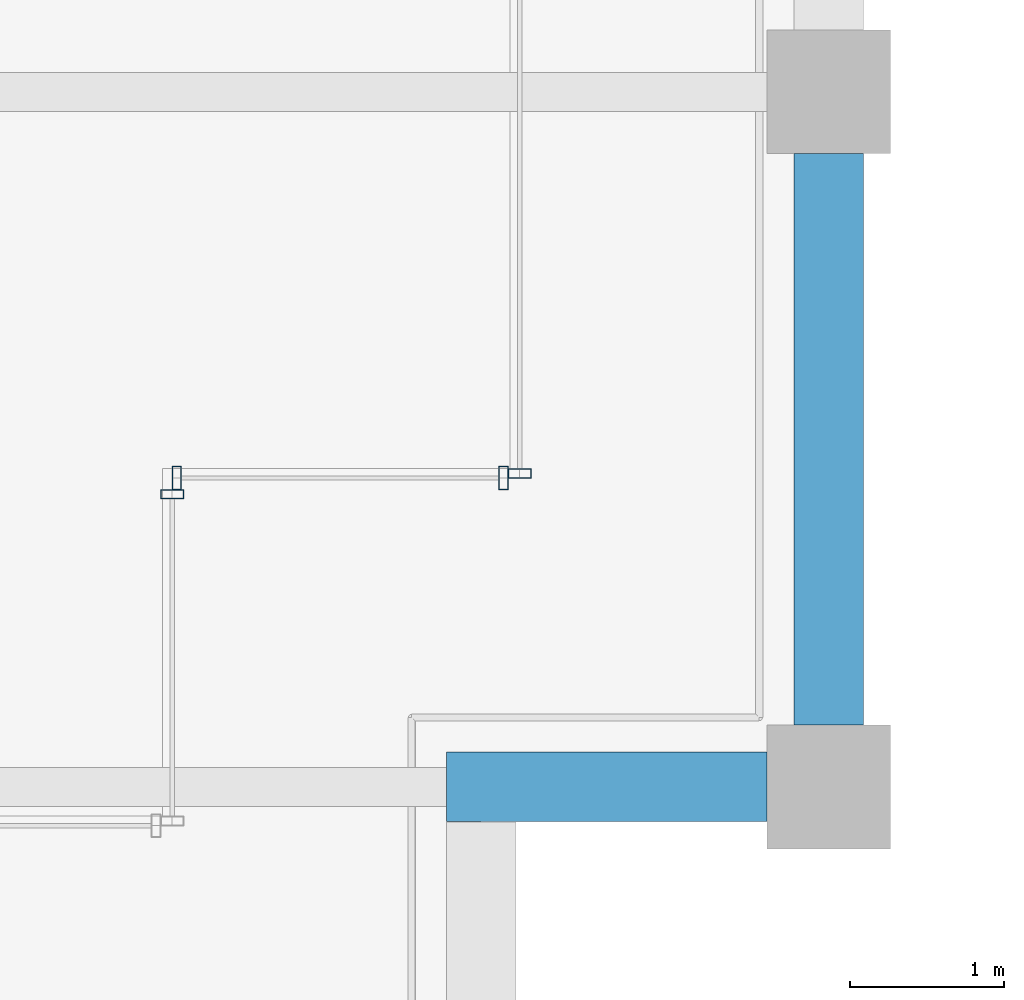
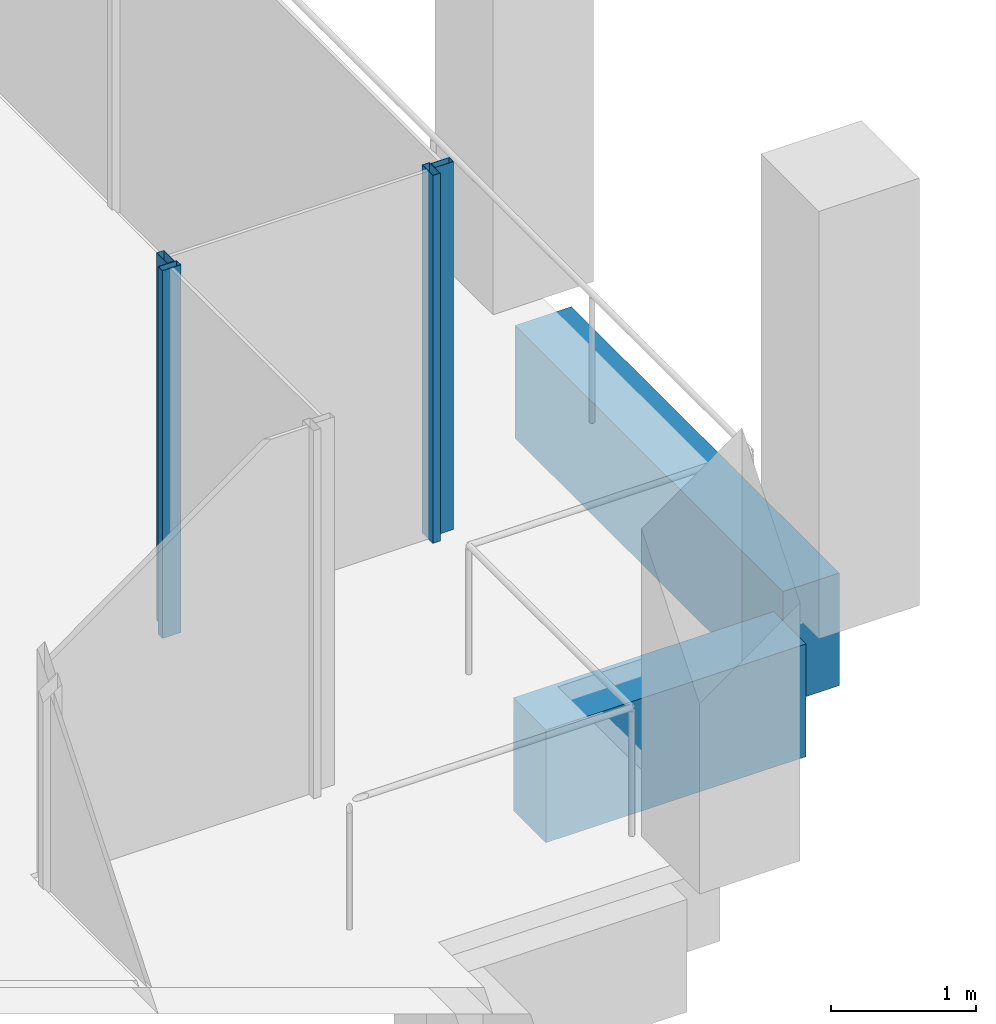
# One storey, part 13 of 40: 4 members, 2 beams, 3 elements without a shape of their own.
"""IFC4 building model written with IfcOpenShell, lengths in metres."""

from ifc_helpers import new_model, si_unit, direction, frame, origin, origin_2d, place, context, subcontext, project, spatial, rectangle, hollow_rectangle, extrude, material, material_profile, profile_set, type_object, element, aggregate, save


model = new_model("IFC4")

# Units and contexts
model_context = context("Model", 3, precision=1e-05, world=origin(), true_north=direction((0.0, 1.0)))
body_context = subcontext(model_context, "Body", "Model", "MODEL_VIEW")
ifc_project = project(units=[si_unit("LENGTHUNIT", "METRE"), si_unit("AREAUNIT", "SQUARE_METRE"), si_unit("VOLUMEUNIT", "CUBIC_METRE"), si_unit("PLANEANGLEUNIT", "RADIAN"), si_unit("MASSUNIT", "GRAM", prefix="KILO")], contexts=[model_context])

# Site, building, storey
site_placement = place(None, origin())
site = spatial("IfcSite", under=ifc_project, at=site_placement, CompositionType="ELEMENT")
building_placement = place(site_placement, origin())
building = spatial("IfcBuilding", under=site, at=building_placement, Name="Altepetl Exchange Towers", CompositionType="ELEMENT")
storey_placement = place(building_placement, frame((0.0, 0.0, 202.800048828125)))
storey = spatial("IfcBuildingStorey", under=building, at=storey_placement, Name="L51", CompositionType="ELEMENT", Elevation=202.800048828125)

# Curtain wall, member
ifc_material_1 = material(Name="Aluminium 6063-T6 glazing", Category="aluminium")
curtain_wall_type = type_object("IfcCurtainWallType", Name="Loggia glazing system", PredefinedType="NOTDEFINED", material=ifc_material_1)
curtain_wall_1_placement = place(storey_placement, origin())
curtain_wall_1 = element("IfcCurtainWall", 1, at=curtain_wall_1_placement, inside=storey, type_object=curtain_wall_type, Name="CW1 run", PredefinedType="NOTDEFINED")
ifc_material_2 = material(Name="Aluminium 6063-T6", Category="aluminium")
ifc_material_profile_1 = material_profile(ifc_material_2, hollow_rectangle(XDim=0.06005859375, YDim=0.14990234375, WallThickness=0.0029296875, at=origin_2d()), Name="Mullion 60x150 aluminium")
ifc_profile_set_1 = profile_set([ifc_material_profile_1], Name="Aluminium 6063-T6")
member_type = type_object("IfcMemberType", Name="Mullion 60x150 aluminium", PredefinedType="MULLION", material=ifc_profile_set_1)
member_1_placement = place(storey_placement, frame((67.75, 33.39501953125, 0.0), z_axis=(0.0, 0.0, 1.0), x_axis=(0.0, 1.0, 0.0)))
member_1 = element("IfcMember", 2, at=member_1_placement, type_object=member_type, Name="MU1 mullion", PredefinedType="MULLION", context=body_context, shape_type="SweptSolid", body=[
    extrude(hollow_rectangle(XDim=0.06005859375, YDim=0.14990234375, WallThickness=0.0029296875, at=origin_2d()), origin(), (0.0, 0.0, 1.0), 3.099853515625),
])
aggregate(curtain_wall_1, [member_1])

# Curtain wall, members
curtain_wall_2_placement = place(storey_placement, origin())
curtain_wall_2 = element("IfcCurtainWall", 3, at=curtain_wall_2_placement, inside=storey, type_object=curtain_wall_type, Name="CW1 run", PredefinedType="NOTDEFINED")
member_2_placement = place(storey_placement, frame((67.780029296875, 33.5, 0.0)))
member_2 = element("IfcMember", 4, at=member_2_placement, type_object=member_type, Name="MU1 mullion", PredefinedType="MULLION", context=body_context, shape_type="SweptSolid", body=[
    extrude(hollow_rectangle(XDim=0.06005859375, YDim=0.14990234375, WallThickness=0.0029296875, at=origin_2d()), origin(), (0.0, 0.0, 1.0), 3.099853515625),
])
member_3_placement = place(storey_placement, frame((69.89501953125, 33.5, 0.0)))
member_3 = element("IfcMember", 5, at=member_3_placement, type_object=member_type, Name="MU1 mullion", PredefinedType="MULLION", context=body_context, shape_type="SweptSolid", body=[
    extrude(hollow_rectangle(XDim=0.06005859375, YDim=0.14990234375, WallThickness=0.0029296875, at=origin_2d()), origin(), (0.0, 0.0, 1.0), 3.099853515625),
])
aggregate(curtain_wall_2, [member_2, member_3])

# Curtain wall, member
curtain_wall_3_placement = place(storey_placement, origin())
curtain_wall_3 = element("IfcCurtainWall", 6, at=curtain_wall_3_placement, inside=storey, type_object=curtain_wall_type, Name="CW1 run", PredefinedType="NOTDEFINED")
member_4_placement = place(storey_placement, frame((70.0, 33.530029296875, 0.0), z_axis=(0.0, 0.0, 1.0), x_axis=(0.0, 1.0, 0.0)))
member_4 = element("IfcMember", 7, at=member_4_placement, type_object=member_type, Name="MU1 mullion", PredefinedType="MULLION", context=body_context, shape_type="SweptSolid", body=[
    extrude(hollow_rectangle(XDim=0.06005859375, YDim=0.14990234375, WallThickness=0.0029296875, at=origin_2d()), origin(), (0.0, 0.0, 1.0), 3.099853515625),
])
aggregate(curtain_wall_3, [member_4])

# Beams
ifc_material_3 = material(Name="Concrete C50/60 precast with cantera amarilla facing", Category="concrete")
ifc_material_profile_2 = material_profile(ifc_material_3, rectangle(XDim=0.449951171875, YDim=0.949951171875, at=origin_2d()), Name="450 x 950")
ifc_profile_set_2 = profile_set([ifc_material_profile_2], Name="Concrete C50/60 precast with cantera amarilla facing")
beam_type = type_object("IfcBeamType", Name="Spandrel beam 450x950 cantera amarilla", PredefinedType="SPANDREL", material=ifc_profile_set_2)
beam_1_placement = place(storey_placement, frame((69.52490234375, 31.5, -0.625), z_axis=(1.0, 0.0, 0.0), x_axis=(0.0, 1.0, 0.0)))
element("IfcBeam", 8, at=beam_1_placement, inside=storey, type_object=beam_type, Name="sp:A:L51:011", PredefinedType="SPANDREL", context=body_context, shape_type="SweptSolid", body=[
    extrude(rectangle(XDim=0.449951171875, YDim=0.949951171875, at=origin_2d()), origin(), (0.0, 0.0, 1.0), 2.0751953125),
])
beam_2_placement = place(storey_placement, frame((72.0, 31.89990234375, -0.625), z_axis=(0.0, 1.0, 0.0), x_axis=(-1.0, 0.0, 0.0)))
element("IfcBeam", 9, at=beam_2_placement, inside=storey, type_object=beam_type, Name="sp:A:L51:012", PredefinedType="SPANDREL", context=body_context, shape_type="SweptSolid", body=[
    extrude(rectangle(XDim=0.449951171875, YDim=0.949951171875, at=origin_2d()), origin(), (0.0, 0.0, 1.0), 3.7001953125),
])

save(model, "model.ifc")
